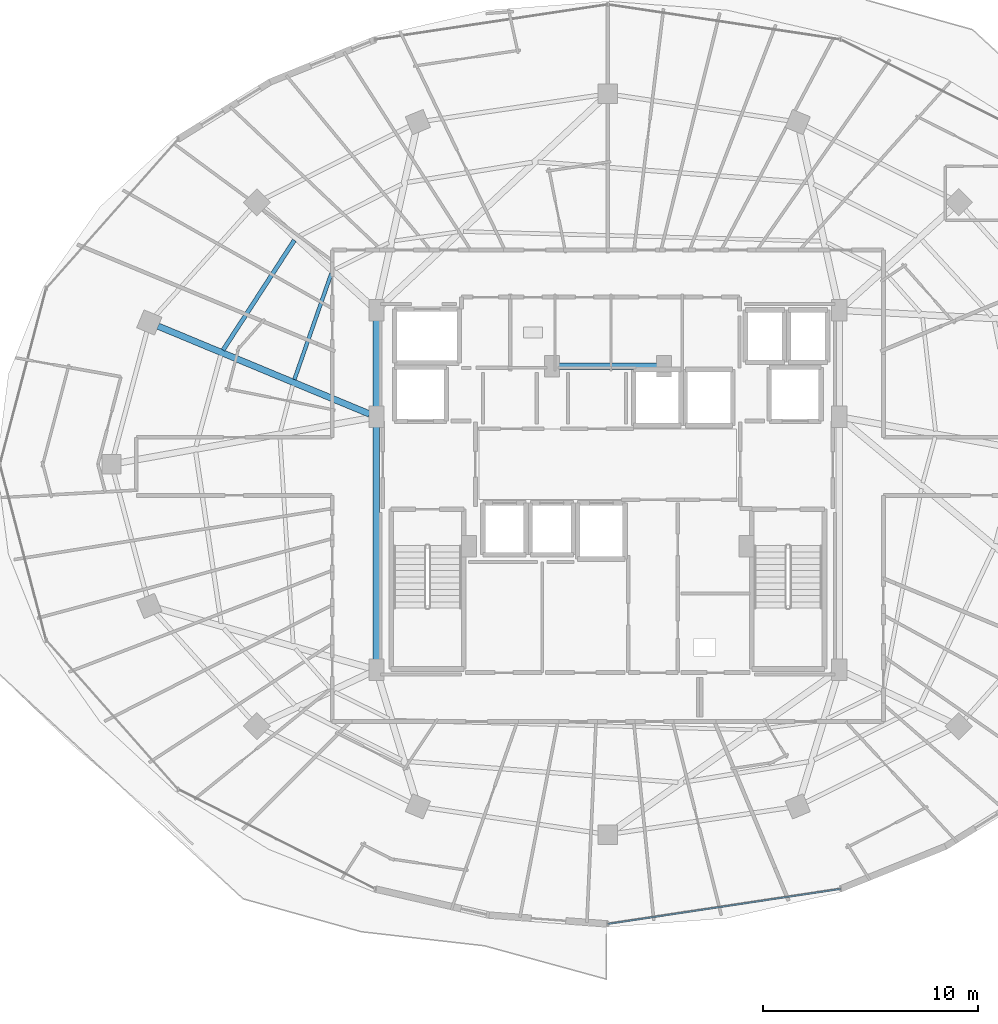
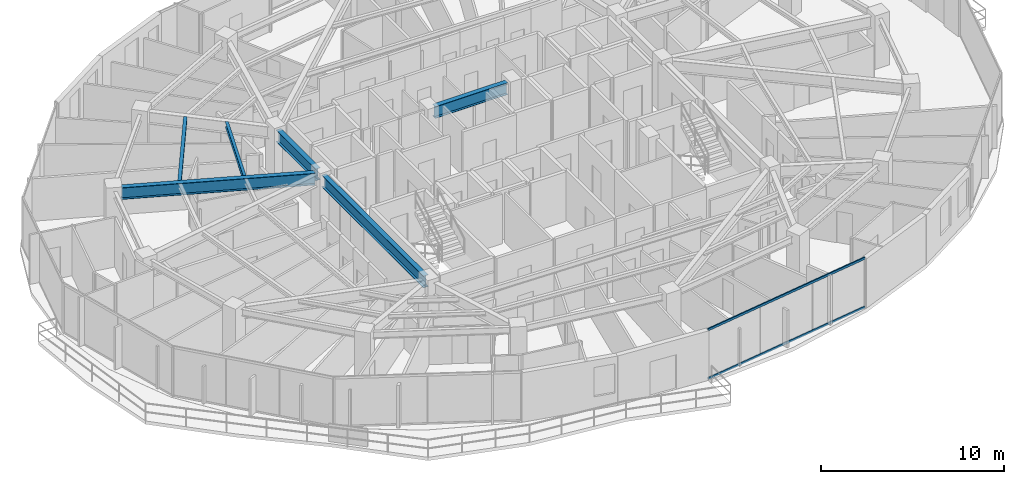
# One storey, part 10 of 33: 6 beams, 2 members, 1 element without a shape of its own.
"""IFC4 building model written with IfcOpenShell, lengths in metres."""

from ifc_helpers import new_model, si_unit, direction, frame, origin, origin_2d, place, context, subcontext, project, spatial, hollow_rectangle, i_section, extrude, material, material_profile, profile_set, type_object, element, aggregate, save


model = new_model("IFC4")

# Units and contexts
model_context = context("Model", 3, precision=1e-05, world=origin(), true_north=direction((0.0, 1.0)))
body_context = subcontext(model_context, "Body", "Model", "MODEL_VIEW")
ifc_project = project(units=[si_unit("LENGTHUNIT", "METRE"), si_unit("AREAUNIT", "SQUARE_METRE"), si_unit("VOLUMEUNIT", "CUBIC_METRE"), si_unit("PLANEANGLEUNIT", "RADIAN"), si_unit("MASSUNIT", "GRAM", prefix="KILO")], contexts=[model_context])

# Site, building, storey
site_placement = place(None, origin())
site = spatial("IfcSite", under=ifc_project, at=site_placement, CompositionType="ELEMENT")
building_placement = place(site_placement, origin())
building = spatial("IfcBuilding", under=site, at=building_placement, Name="Vorneva Point Tower", CompositionType="ELEMENT")
storey_placement = place(building_placement, frame((0.0, 0.0, 217.85009765625)))
storey = spatial("IfcBuildingStorey", under=building, at=storey_placement, Name="L59", CompositionType="ELEMENT", Elevation=217.85009765625)

# Beams
ifc_material_1 = material(Name="Steel S355", Category="steel")
ifc_material_profile_1 = material_profile(ifc_material_1, i_section(OverallWidth=0.300048828125, OverallDepth=0.7880859375, WebThickness=0.014404296875, FlangeThickness=0.02197265625, at=origin_2d()), Name="80Sh1")
ifc_profile_set_1 = profile_set([ifc_material_profile_1], Name="Steel S355")
beam_type_1 = type_object("IfcBeamType", Name="BM-GRD-80Sh1", PredefinedType="USERDEFINED", material=ifc_profile_set_1)
beam_1_placement = place(storey_placement, frame((17.109130859375, 32.4140625, 2.89599609375), z_axis=(0.923445067159, -0.383730645035, 0.0), x_axis=(0.383730645035, 0.923445067159, 0.0)))
element("IfcBeam", 1, at=beam_1_placement, inside=storey, type_object=beam_type_1, Name="L59 Radial Primary Girder 08", ObjectType="GIRDER", PredefinedType="USERDEFINED", context=body_context, shape_type="SweptSolid", body=[
    extrude(i_section(OverallWidth=0.300048828125, OverallDepth=0.7880859375, WebThickness=0.014404296875, FlangeThickness=0.02197265625, at=origin_2d()), origin(), (0.0, 0.0, 1.0), 10.6416015625),
])
beam_2_placement = place(storey_placement, frame((27.25, 16.77001953125, 2.89599609375), z_axis=(0.0, 1.0, 0.0), x_axis=(-1.0, 0.0, 0.0)))
element("IfcBeam", 2, at=beam_2_placement, inside=storey, type_object=beam_type_1, Name="L59 Core Tie Girder CT1", ObjectType="GIRDER", PredefinedType="USERDEFINED", context=body_context, shape_type="SweptSolid", body=[
    extrude(i_section(OverallWidth=0.300048828125, OverallDepth=0.7880859375, WebThickness=0.014404296875, FlangeThickness=0.02197265625, at=origin_2d()), origin(), (0.0, 0.0, 1.0), 11.10986328125),
])
beam_3_placement = place(storey_placement, frame((27.25, 28.52001953125, 2.89599609375), z_axis=(0.0, 1.0, 0.0), x_axis=(-1.0, 0.0, 0.0)))
element("IfcBeam", 3, at=beam_3_placement, inside=storey, type_object=beam_type_1, Name="L59 Core Tie Girder CT2", ObjectType="GIRDER", PredefinedType="USERDEFINED", context=body_context, shape_type="SweptSolid", body=[
    extrude(i_section(OverallWidth=0.300048828125, OverallDepth=0.7880859375, WebThickness=0.014404296875, FlangeThickness=0.02197265625, at=origin_2d()), origin(), (0.0, 0.0, 1.0), 4.31005859375),
])
beam_4_placement = place(storey_placement, frame((35.719970703125, 30.550048828125, 2.89599609375), z_axis=(1.0, 0.0, 0.0), x_axis=(0.0, 1.0, 0.0)))
element("IfcBeam", 4, at=beam_4_placement, inside=storey, type_object=beam_type_1, Name="L59 Core Tie Girder CT8", ObjectType="GIRDER", PredefinedType="USERDEFINED", context=body_context, shape_type="SweptSolid", body=[
    extrude(i_section(OverallWidth=0.300048828125, OverallDepth=0.7880859375, WebThickness=0.014404296875, FlangeThickness=0.02197265625, at=origin_2d()), origin(), (0.0, 0.0, 1.0), 4.56005859375),
])
ifc_material_profile_2 = material_profile(ifc_material_1, i_section(OverallWidth=0.199951171875, OverallDepth=0.291015625, WebThickness=0.008056640625, FlangeThickness=0.010986328125, at=origin_2d()), Name="30Sh1")
ifc_profile_set_2 = profile_set([ifc_material_profile_2], Name="Steel S355")
beam_type_2 = type_object("IfcBeamType", Name="BM-SEC-30Sh1", PredefinedType="BEAM", material=ifc_profile_set_2)
beam_5_placement = place(storey_placement, frame((23.4423828125, 36.405517578125, 3.144287109375), z_axis=(-0.544354543714, -0.83885525017, 0.0), x_axis=(0.83885525017, -0.544354543714, 0.0)))
element("IfcBeam", 5, at=beam_5_placement, inside=storey, type_object=beam_type_2, Name="L59 Secondary Floor Beam 1.07", PredefinedType="BEAM", context=body_context, shape_type="SweptSolid", body=[
    extrude(i_section(OverallWidth=0.199951171875, OverallDepth=0.291015625, WebThickness=0.008056640625, FlangeThickness=0.010986328125, at=origin_2d()), origin(), (0.0, 0.0, 1.0), 6.080810546875),
])
ifc_material_profile_3 = material_profile(ifc_material_1, i_section(OverallWidth=0.174072265625, OverallDepth=0.345947265625, WebThickness=0.006103515625, FlangeThickness=0.009033203125, at=origin_2d()), Name="35B1")
ifc_profile_set_3 = profile_set([ifc_material_profile_3], Name="Steel S355")
beam_type_3 = type_object("IfcBeamType", Name="BM-SEC-35B1", PredefinedType="BEAM", material=ifc_profile_set_3)
beam_6_placement = place(storey_placement, frame((25.16259765625, 34.8642578125, 3.116943359375), z_axis=(-0.329040775193, -0.944315714293, 0.0), x_axis=(0.944315714293, -0.329040775193, 0.0)))
element("IfcBeam", 6, at=beam_6_placement, inside=storey, type_object=beam_type_3, Name="L59 Secondary Floor Beam 2.07", PredefinedType="BEAM", context=body_context, shape_type="SweptSolid", body=[
    extrude(i_section(OverallWidth=0.174072265625, OverallDepth=0.345947265625, WebThickness=0.006103515625, FlangeThickness=0.009033203125, at=origin_2d()), origin(), (0.0, 0.0, 1.0), 5.224365234375),
])

# Curtain wall, members
ifc_material_2 = material(Name="Pale anodised aluminium", Category="aluminium")
curtain_wall_type = type_object("IfcCurtainWallType", Name="CW-RES-SYS", PredefinedType="NOTDEFINED", material=ifc_material_2)
curtain_wall_placement = place(storey_placement, origin())
curtain_wall = element("IfcCurtainWall", 7, at=curtain_wall_placement, inside=storey, type_object=curtain_wall_type, Name="L59 Unitised Curtain Wall CW-L59-R03", PredefinedType="NOTDEFINED")
ifc_material_profile_4 = material_profile(ifc_material_2, hollow_rectangle(XDim=0.074951171875, YDim=0.14990234375, WallThickness=0.00390625, at=origin_2d()), Name="AL-TRN 150x75x4")
ifc_profile_set_4 = profile_set([ifc_material_profile_4], Name="Pale anodised aluminium")
member_type = type_object("IfcMemberType", Name="CW-TRN-150", PredefinedType="USERDEFINED", material=ifc_profile_set_4)
member_1_placement = place(storey_placement, frame((38.0, 4.64990234375, 0.02001953125), z_axis=(0.988872333273, 0.148766624239, 0.0), x_axis=(-0.148766624239, 0.988872333273, 0.0)))
member_1 = element("IfcMember", 8, at=member_1_placement, type_object=member_type, Name="CW-L59-R03 Transom 01.1", ObjectType="TRANSOM", PredefinedType="USERDEFINED", context=body_context, shape_type="SweptSolid", body=[
    extrude(hollow_rectangle(XDim=0.074951171875, YDim=0.14990234375, WallThickness=0.00390625, at=origin_2d()), origin(), (0.0, 0.0, 1.0), 10.9248046875),
])
member_2_placement = place(storey_placement, frame((38.0, 4.64990234375, 3.27001953125), z_axis=(0.988872333273, 0.148766624239, 0.0), x_axis=(-0.148766624239, 0.988872333273, 0.0)))
member_2 = element("IfcMember", 9, at=member_2_placement, type_object=member_type, Name="CW-L59-R03 Transom 01.2", ObjectType="TRANSOM", PredefinedType="USERDEFINED", context=body_context, shape_type="SweptSolid", body=[
    extrude(hollow_rectangle(XDim=0.074951171875, YDim=0.14990234375, WallThickness=0.00390625, at=origin_2d()), origin(), (0.0, 0.0, 1.0), 10.9248046875),
])
aggregate(curtain_wall, [member_1, member_2])

save(model, "model.ifc")
